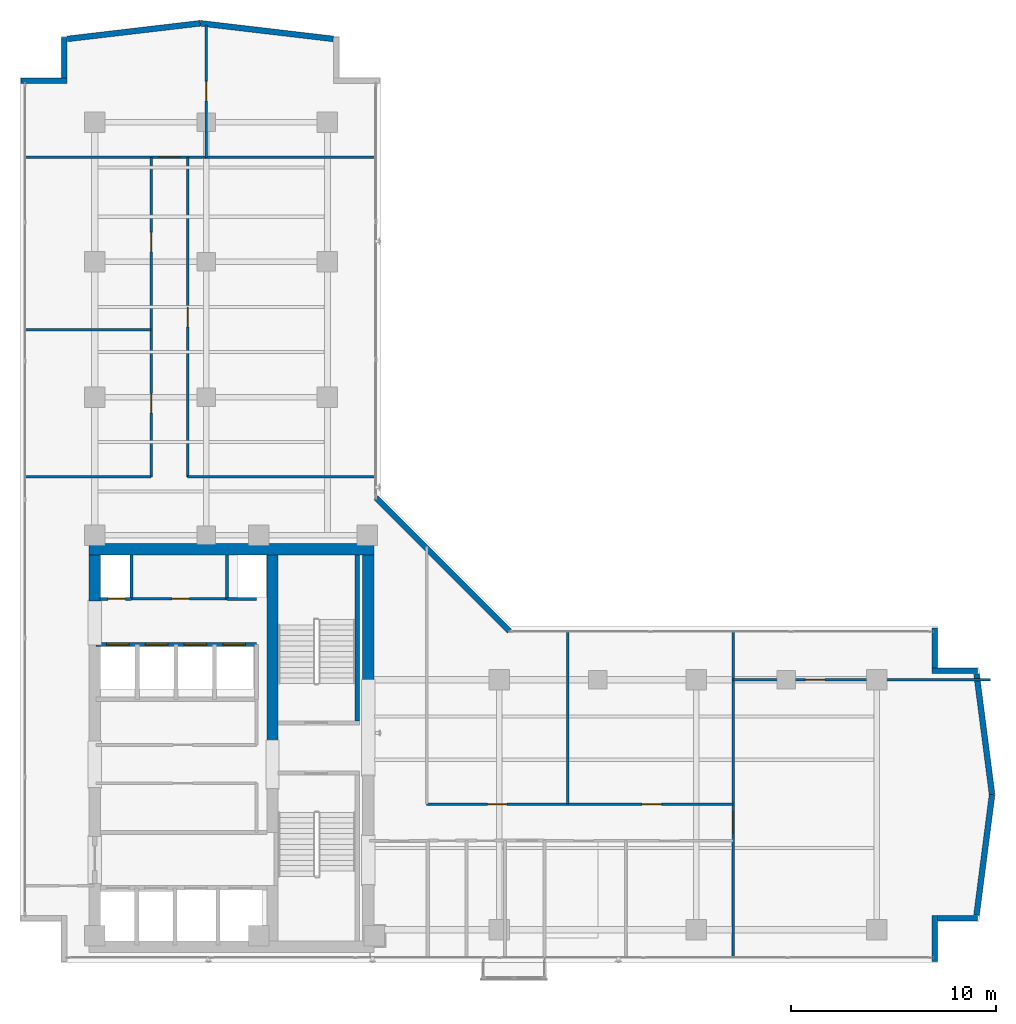
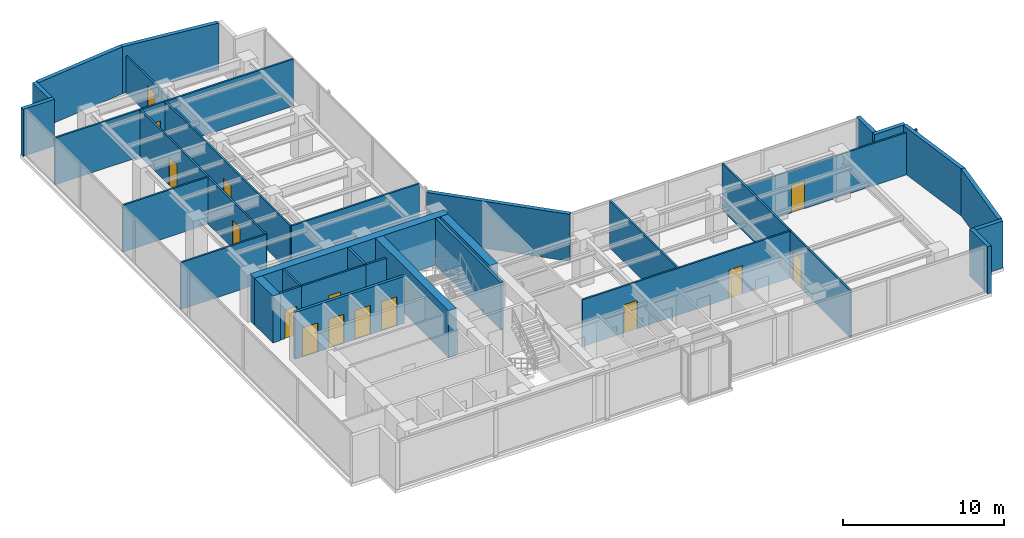
# One storey, part 18 of 22: 33 walls, 15 doors, 15 openings.
"""IFC4 building model written with IfcOpenShell, lengths in metres."""

from ifc_helpers import new_model, si_unit, direction, frame, frame_2d, origin, place, context, subcontext, project, spatial, rectangle, extrude, material, layer, layer_set, type_object, element, fill, save


model = new_model("IFC4")

# Units and contexts
model_context = context("Model", 3, precision=1e-05, world=origin(), true_north=direction((0.0, 1.0)))
body_context = subcontext(model_context, "Body", "Model", "MODEL_VIEW")
ifc_project = project(units=[si_unit("LENGTHUNIT", "METRE"), si_unit("AREAUNIT", "SQUARE_METRE"), si_unit("VOLUMEUNIT", "CUBIC_METRE"), si_unit("PLANEANGLEUNIT", "RADIAN"), si_unit("MASSUNIT", "GRAM", prefix="KILO")], contexts=[model_context])

# Site, building, storey
site_placement = place(None, origin())
site = spatial("IfcSite", under=ifc_project, at=site_placement, CompositionType="ELEMENT")
building_placement = place(site_placement, origin())
building = spatial("IfcBuilding", under=site, at=building_placement, Name="Kolvaren Waterfront Exchange", CompositionType="ELEMENT")
storey_placement = place(building_placement, frame((0.0, 0.0, 246.300048828125)))
storey = spatial("IfcBuildingStorey", under=building, at=storey_placement, Name="L63", CompositionType="ELEMENT", Elevation=246.300048828125)

# Walls
ifc_material_1 = material(Name="Precast concrete C40/50", Category="concrete")
ifc_layer_1 = layer(ifc_material_1, 0.280029296875, Name="Precast concrete C40/50")
ifc_layer_set_1 = layer_set([ifc_layer_1], Name="Precast concrete C40/50")
wall_type_1 = type_object("IfcWallType", Name="ARC-EXT-TERR-280", PredefinedType="SOLIDWALL", material=ifc_layer_set_1)
wall_1_placement = place(storey_placement, frame((48.43994140625, 3.659912109375, 0.0), z_axis=(0.0, 0.0, 1.0), x_axis=(0.0, 1.0, 0.0)))
element("IfcWall", 1, at=wall_1_placement, inside=storey, type_object=wall_type_1, Name="L63 notched corner spandrel pier SE-A", PredefinedType="SOLIDWALL", context=body_context, shape_type="SweptSolid", body=[
    extrude(rectangle(XDim=2.239990234375, YDim=0.280029296875, at=frame_2d((1.1201171875, 0.0))), origin(), (0.0, 0.0, 1.0), 3.56005859375),
])
wall_2_placement = place(storey_placement, frame((48.580078125, 5.760009765625, 0.0), z_axis=(0.0, 0.0, 1.0), x_axis=(1.0, 0.0, 0.0)))
element("IfcWall", 2, at=wall_2_placement, inside=storey, type_object=wall_type_1, Name="L63 notched corner spandrel pier SE-B", PredefinedType="SOLIDWALL", context=body_context, shape_type="SweptSolid", body=[
    extrude(rectangle(XDim=1.9599609375, YDim=0.280029296875, at=frame_2d((0.97998046875, 0.0))), origin(), (0.0, 0.0, 1.0), 3.56005859375),
])
wall_3_placement = place(storey_placement, frame((48.43994140625, 17.965087890625, 0.0), z_axis=(0.0, 0.0, 1.0), x_axis=(0.0, 1.0, 0.0)))
element("IfcWall", 3, at=wall_3_placement, inside=storey, type_object=wall_type_1, Name="L63 notched corner spandrel pier ENE-A", PredefinedType="SOLIDWALL", context=body_context, shape_type="SweptSolid", body=[
    extrude(rectangle(XDim=1.974853515625, YDim=0.280029296875, at=frame_2d((0.9873046875, 0.0))), origin(), (0.0, 0.0, 1.0), 3.56005859375),
])
for number, where, z_axis, x_axis, name in (
    (4, (48.300048828125, 17.840087890625, 0.0), (0.0, 0.0, 1.0), (1.0, 0.0, 0.0), "L63 notched corner spandrel pier ENE-B"),
    (5, (3.860107421875, 46.639892578125, 0.0), (0.0, 0.0, 1.0), (1.0, 0.0, 0.0), "L63 notched corner spandrel pier NW-A"),
):
    element("IfcWall", number, at=place(storey_placement, frame(where, z_axis=z_axis, x_axis=x_axis)), inside=storey, type_object=wall_type_1, Name=name, PredefinedType="SOLIDWALL", context=body_context, shape_type="SweptSolid", body=[
        extrude(rectangle(XDim=2.239990234375, YDim=0.280029296875, at=frame_2d((1.1201171875, 0.0))), origin(), (0.0, 0.0, 1.0), 3.56005859375),
    ])
wall_4_placement = place(storey_placement, frame((5.9599609375, 46.780029296875, 0.0), z_axis=(0.0, 0.0, 1.0), x_axis=(0.0, 1.0, 0.0)))
element("IfcWall", 6, at=wall_4_placement, inside=storey, type_object=wall_type_1, Name="L63 notched corner spandrel pier NW-B", PredefinedType="SOLIDWALL", context=body_context, shape_type="SweptSolid", body=[
    extrude(rectangle(XDim=1.9599609375, YDim=0.280029296875, at=frame_2d((0.97998046875, 0.0))), origin(), (0.0, 0.0, 1.0), 3.56005859375),
])
wall_5_placement = place(storey_placement, frame((27.68505859375, 19.77490234375, 0.0), z_axis=(0.0, 0.0, 1.0), x_axis=(-0.707106781187, 0.707106781187, 0.0)))
element("IfcWall", 7, at=wall_5_placement, inside=storey, type_object=wall_type_1, Name="L63 notched corner spandrel pier ELBOW", PredefinedType="SOLIDWALL", context=body_context, shape_type="SweptSolid", body=[
    extrude(rectangle(XDim=9.20654296875, YDim=0.280029296875, at=frame_2d((4.603271484375, 0.0))), origin(), (0.0, 0.0, 1.0), 3.56005859375),
])
for number, where, z_axis, x_axis, name in (
    (8, (50.479736328125, 5.91796875, 0.0), (0.0, 0.0, 1.0), (0.127970031595, 0.991778035154, 0.0), "L63 east prow faceted facade wall 1"),
    (9, (51.23876953125, 11.79931640625, 0.0), (0.0, 0.0, 1.0), (-0.127970031595, 0.991778035154, 0.0), "L63 east prow faceted facade wall 2"),
):
    element("IfcWall", number, at=place(storey_placement, frame(where, z_axis=z_axis, x_axis=x_axis)), inside=storey, type_object=wall_type_1, Name=name, PredefinedType="SOLIDWALL", context=body_context, shape_type="SweptSolid", body=[
        extrude(rectangle(XDim=5.931396484375, YDim=0.280029296875, at=frame_2d((2.9658203125, 0.0))), origin(), (0.0, 0.0, 1.0), 3.56005859375),
    ])
for number, where, z_axis, x_axis, name in (
    (10, (19.08349609375, 48.676025390625, 0.0), (0.0, 0.0, 1.0), (-0.993149072278, 0.11685426921, 0.0), "L63 north prow faceted facade wall 1"),
    (11, (12.598876953125, 49.438720703125, 0.0), (0.0, 0.0, 1.0), (-0.993149072278, -0.11685426921, 0.0), "L63 north prow faceted facade wall 2"),
):
    element("IfcWall", number, at=place(storey_placement, frame(where, z_axis=z_axis, x_axis=x_axis)), inside=storey, type_object=wall_type_1, Name=name, PredefinedType="SOLIDWALL", context=body_context, shape_type="SweptSolid", body=[
        extrude(rectangle(XDim=6.52685546875, YDim=0.280029296875, at=frame_2d((3.263427734375, 0.0))), origin(), (0.0, 0.0, 1.0), 3.56005859375),
    ])

# Wall, opening, door
ifc_material_2 = material(Name="Acoustic gypsum steel stud", Category="steel")
ifc_layer_2 = layer(ifc_material_2, 0.125, Name="Acoustic gypsum steel stud")
ifc_layer_set_2 = layer_set([ifc_layer_2], Name="Acoustic gypsum steel stud")
wall_type_2 = type_object("IfcWallType", Name="ARC-PART-125", PredefinedType="PARTITIONING", material=ifc_layer_set_2)
wall_6_placement = place(storey_placement, frame((9.25, 21.35009765625, 0.0), z_axis=(0.0, 0.0, 1.0), x_axis=(1.0, 0.0, 0.0)))
wall_6 = element("IfcWall", 12, at=wall_6_placement, inside=storey, type_object=wall_type_2, Name="L63 interior wall PW-L63-SVC-HI-S", PredefinedType="PARTITIONING", context=body_context, shape_type="SweptSolid", body=[
    extrude(rectangle(XDim=4.64990234375, YDim=0.125, at=frame_2d((2.324951171875, 0.0))), origin(), (0.0, 0.0, 1.0), 3.56005859375),
])
opening_1_placement = place(wall_6_placement, frame((1.971435546875, 0.0, 0.0)))
opening_1 = element("IfcOpeningElement", 13, at=opening_1_placement, cuts=wall_6, Name="Opening D01", PredefinedType="OPENING", context=body_context, shape_type="SweptSolid", body=[
    extrude(rectangle(XDim=0.85009765625, YDim=2.14990234375, at=frame_2d((0.425048828125, 1.074951171875))), frame((0.0, 0.072509765625, 0.0), z_axis=(0.0, -1.0, 0.0), x_axis=(1.0, 0.0, 0.0)), (0.0, 0.0, 1.0), 0.14501953125),
])
ifc_material_3 = material(Name="Oak veneer timber leaf", Category="wood")
door_type_1 = type_object("IfcDoorType", Name="ARC-DR-900", OperationType="NOTDEFINED", PredefinedType="DOOR", material=ifc_material_3)
door_1_placement = place(opening_1_placement, origin())
door_1 = element("IfcDoor", 14, at=door_1_placement, inside=storey, type_object=door_type_1, Name="L63 door DR-L63-SVC-DR-1 (D01)", OperationType="SINGLE_SWING_LEFT", OverallHeight=2.14990234375, OverallWidth=0.85009765625, PredefinedType="DOOR", context=body_context, shape_type="SweptSolid", body=[
    extrude(rectangle(XDim=0.85009765625, YDim=2.14990234375, at=frame_2d((0.425048828125, 1.074951171875))), frame((0.0, 0.02490234375, 0.0), z_axis=(0.0, -1.0, 0.0), x_axis=(1.0, 0.0, 0.0)), (0.0, 0.0, 1.0), 0.050048828125),
])
fill(opening_1, door_1)

wall_7_placement = place(storey_placement, frame((38.60009765625, 3.840087890625, 0.0), z_axis=(0.0, 0.0, 1.0), x_axis=(0.0, 1.0, 0.0)))
wall_7 = element("IfcWall", 15, at=wall_7_placement, inside=storey, type_object=wall_type_2, Name="L63 interior wall PW-L63-ETIP-W", PredefinedType="PARTITIONING", context=body_context, shape_type="SweptSolid", body=[
    extrude(rectangle(XDim=15.919921875, YDim=0.125, at=frame_2d((7.9599609375, 0.0))), origin(), (0.0, 0.0, 1.0), 3.56005859375),
])
opening_2_placement = place(wall_7_placement, frame((6.10009765625, 0.0, 0.0)))
opening_2 = element("IfcOpeningElement", 16, at=opening_2_placement, cuts=wall_7, Name="Opening D03", PredefinedType="OPENING", context=body_context, shape_type="SweptSolid", body=[
    extrude(rectangle(XDim=1.0, YDim=2.199951171875, at=frame_2d((0.5, 1.10009765625))), frame((0.0, 0.072509765625, 0.0), z_axis=(0.0, -1.0, 0.0), x_axis=(1.0, 0.0, 0.0)), (0.0, 0.0, 1.0), 0.14501953125),
])
ifc_material_4 = material(Name="Oak veneer accessible timber", Category="wood")
door_type_2 = type_object("IfcDoorType", Name="ARC-DR-1000", OperationType="NOTDEFINED", PredefinedType="DOOR", material=ifc_material_4)
door_2_placement = place(opening_2_placement, origin())
door_2 = element("IfcDoor", 17, at=door_2_placement, inside=storey, type_object=door_type_2, Name="L63 door DR-L63-ETIP1-D (D03)", OperationType="SINGLE_SWING_LEFT", OverallHeight=2.199951171875, OverallWidth=1.0, PredefinedType="DOOR", context=body_context, shape_type="SweptSolid", body=[
    extrude(rectangle(XDim=1.0, YDim=2.199951171875, at=frame_2d((0.5, 1.10009765625))), frame((0.0, 0.02490234375, 0.0), z_axis=(0.0, -1.0, 0.0), x_axis=(1.0, 0.0, 0.0)), (0.0, 0.0, 1.0), 0.050048828125),
])
fill(opening_2, door_2)

wall_8_placement = place(storey_placement, frame((38.60009765625, 17.39990234375, 0.0), z_axis=(0.0, 0.0, 1.0), x_axis=(1.0, 0.0, 0.0)))
wall_8 = element("IfcWall", 18, at=wall_8_placement, inside=storey, type_object=wall_type_2, Name="L63 interior wall PW-L63-ETIP-MID", PredefinedType="PARTITIONING", context=body_context, shape_type="SweptSolid", body=[
    extrude(rectangle(XDim=12.559814453125, YDim=0.125, at=frame_2d((6.27978515625, 0.0))), origin(), (0.0, 0.0, 1.0), 3.199951171875),
])
opening_3_placement = place(wall_8_placement, frame((3.52490234375, 0.0, 0.0)))
opening_3 = element("IfcOpeningElement", 19, at=opening_3_placement, cuts=wall_8, Name="Opening D02", PredefinedType="OPENING", context=body_context, shape_type="SweptSolid", body=[
    extrude(rectangle(XDim=0.949951171875, YDim=2.14990234375, at=frame_2d((0.47509765625, 1.074951171875))), frame((0.0, 0.072509765625, 0.0), z_axis=(0.0, -1.0, 0.0), x_axis=(1.0, 0.0, 0.0)), (0.0, 0.0, 1.0), 0.14501953125),
])
ifc_material_5 = material(Name="Oak veneer acoustic timber", Category="wood")
door_type_3 = type_object("IfcDoorType", Name="ARC-DR-950", OperationType="NOTDEFINED", PredefinedType="DOOR", material=ifc_material_5)
door_3_placement = place(opening_3_placement, origin())
door_3 = element("IfcDoor", 20, at=door_3_placement, inside=storey, type_object=door_type_3, Name="L63 door DR-L63-ETIP2-D (D02)", OperationType="SINGLE_SWING_RIGHT", OverallHeight=2.14990234375, OverallWidth=0.949951171875, PredefinedType="DOOR", context=body_context, shape_type="SweptSolid", body=[
    extrude(rectangle(XDim=0.949951171875, YDim=2.14990234375, at=frame_2d((0.47509765625, 1.074951171875))), frame((0.0, 0.02490234375, 0.0), z_axis=(0.0, -1.0, 0.0), x_axis=(1.0, 0.0, 0.0)), (0.0, 0.0, 1.0), 0.050048828125),
])
fill(opening_3, door_3)

# Wall, openings, doors
wall_9_placement = place(storey_placement, frame((23.64990234375, 11.330078125, 0.0), z_axis=(0.0, 0.0, 1.0), x_axis=(1.0, 0.0, 0.0)))
wall_9 = element("IfcWall", 21, at=wall_9_placement, inside=storey, type_object=wall_type_2, Name="L63 interior wall PW-L63-EN-CORR", PredefinedType="PARTITIONING", context=body_context, shape_type="SweptSolid", body=[
    extrude(rectangle(XDim=14.9501953125, YDim=0.125, at=frame_2d((7.47509765625, 0.0))), origin(), (0.0, 0.0, 1.0), 3.56005859375),
])
opening_4_placement = place(wall_9_placement, frame((2.965087890625, 0.0, 0.0)))
opening_4 = element("IfcOpeningElement", 22, at=opening_4_placement, cuts=wall_9, Name="Opening D02", PredefinedType="OPENING", context=body_context, shape_type="SweptSolid", body=[
    extrude(rectangle(XDim=0.949951171875, YDim=2.14990234375, at=frame_2d((0.47509765625, 1.074951171875))), frame((0.0, 0.072509765625, 0.0), z_axis=(0.0, -1.0, 0.0), x_axis=(1.0, 0.0, 0.0)), (0.0, 0.0, 1.0), 0.14501953125),
])
opening_5_placement = place(wall_9_placement, frame((10.51025390625, 0.0, 0.0)))
opening_5 = element("IfcOpeningElement", 23, at=opening_5_placement, cuts=wall_9, Name="Opening D02", PredefinedType="OPENING", context=body_context, shape_type="SweptSolid", body=[
    extrude(rectangle(XDim=0.949951171875, YDim=2.14990234375, at=frame_2d((0.47509765625, 1.074951171875))), frame((0.0, 0.072509765625, 0.0), z_axis=(0.0, -1.0, 0.0), x_axis=(1.0, 0.0, 0.0)), (0.0, 0.0, 1.0), 0.14501953125),
])
door_4_placement = place(opening_4_placement, origin())
door_4 = element("IfcDoor", 24, at=door_4_placement, inside=storey, type_object=door_type_3, Name="L63 door DR-L63-EN-D-1 (D02)", OperationType="SINGLE_SWING_LEFT", OverallHeight=2.14990234375, OverallWidth=0.949951171875, PredefinedType="DOOR", context=body_context, shape_type="SweptSolid", body=[
    extrude(rectangle(XDim=0.949951171875, YDim=2.14990234375, at=frame_2d((0.47509765625, 1.074951171875))), frame((0.0, 0.02490234375, 0.0), z_axis=(0.0, -1.0, 0.0), x_axis=(1.0, 0.0, 0.0)), (0.0, 0.0, 1.0), 0.050048828125),
])
fill(opening_4, door_4)
door_5_placement = place(opening_5_placement, origin())
door_5 = element("IfcDoor", 25, at=door_5_placement, inside=storey, type_object=door_type_3, Name="L63 door DR-L63-EN-D-2 (D02)", OperationType="SINGLE_SWING_RIGHT", OverallHeight=2.14990234375, OverallWidth=0.949951171875, PredefinedType="DOOR", context=body_context, shape_type="SweptSolid", body=[
    extrude(rectangle(XDim=0.949951171875, YDim=2.14990234375, at=frame_2d((0.47509765625, 1.074951171875))), frame((0.0, 0.02490234375, 0.0), z_axis=(0.0, -1.0, 0.0), x_axis=(1.0, 0.0, 0.0)), (0.0, 0.0, 1.0), 0.050048828125),
])
fill(opening_5, door_5)

# Walls
wall_10_placement = place(storey_placement, frame((30.530029296875, 11.330078125, 0.0), z_axis=(0.0, 0.0, 1.0), x_axis=(0.0, 1.0, 0.0)))
element("IfcWall", 26, at=wall_10_placement, inside=storey, type_object=wall_type_2, Name="L63 interior wall PW-L63-EN-DIV-1", PredefinedType="PARTITIONING", context=body_context, shape_type="SweptSolid", body=[
    extrude(rectangle(XDim=8.429931640625, YDim=0.125, at=frame_2d((4.21484375, 0.0))), origin(), (0.0, 0.0, 1.0), 3.56005859375),
])
wall_11_placement = place(storey_placement, frame((4.0400390625, 27.300048828125, 0.0), z_axis=(0.0, 0.0, 1.0), x_axis=(1.0, 0.0, 0.0)))
element("IfcWall", 27, at=wall_11_placement, inside=storey, type_object=wall_type_2, Name="L63 interior wall PW-L63-NW-S0", PredefinedType="PARTITIONING", context=body_context, shape_type="SweptSolid", body=[
    extrude(rectangle(XDim=6.159912109375, YDim=0.125, at=frame_2d((3.080078125, 0.0))), origin(), (0.0, 0.0, 1.0), 3.56005859375),
])

# Wall, openings, doors
wall_12_placement = place(storey_placement, frame((10.199951171875, 27.300048828125, 0.0), z_axis=(0.0, 0.0, 1.0), x_axis=(0.0, 1.0, 0.0)))
wall_12 = element("IfcWall", 28, at=wall_12_placement, inside=storey, type_object=wall_type_2, Name="L63 interior wall PW-L63-NW-CORR", PredefinedType="PARTITIONING", context=body_context, shape_type="SweptSolid", body=[
    extrude(rectangle(XDim=15.599853515625, YDim=0.125, at=frame_2d((7.7998046875, 0.0))), origin(), (0.0, 0.0, 1.0), 3.56005859375),
])
opening_6_placement = place(wall_12_placement, frame((3.114990234375, 0.0, 0.0)))
opening_6 = element("IfcOpeningElement", 29, at=opening_6_placement, cuts=wall_12, Name="Opening D02", PredefinedType="OPENING", context=body_context, shape_type="SweptSolid", body=[
    extrude(rectangle(XDim=0.949951171875, YDim=2.14990234375, at=frame_2d((0.47509765625, 1.074951171875))), frame((0.0, 0.072509765625, 0.0), z_axis=(0.0, -1.0, 0.0), x_axis=(1.0, 0.0, 0.0)), (0.0, 0.0, 1.0), 0.14501953125),
])
opening_7_placement = place(wall_12_placement, frame((10.986083984375, 0.0, 0.0)))
opening_7 = element("IfcOpeningElement", 30, at=opening_7_placement, cuts=wall_12, Name="Opening D02", PredefinedType="OPENING", context=body_context, shape_type="SweptSolid", body=[
    extrude(rectangle(XDim=0.949951171875, YDim=2.14990234375, at=frame_2d((0.47509765625, 1.074951171875))), frame((0.0, 0.072509765625, 0.0), z_axis=(0.0, -1.0, 0.0), x_axis=(1.0, 0.0, 0.0)), (0.0, 0.0, 1.0), 0.14501953125),
])
door_6_placement = place(opening_6_placement, origin())
door_6 = element("IfcDoor", 31, at=door_6_placement, inside=storey, type_object=door_type_3, Name="L63 door DR-L63-NW-D-1 (D02)", OperationType="SINGLE_SWING_LEFT", OverallHeight=2.14990234375, OverallWidth=0.949951171875, PredefinedType="DOOR", context=body_context, shape_type="SweptSolid", body=[
    extrude(rectangle(XDim=0.949951171875, YDim=2.14990234375, at=frame_2d((0.47509765625, 1.074951171875))), frame((0.0, 0.02490234375, 0.0), z_axis=(0.0, -1.0, 0.0), x_axis=(1.0, 0.0, 0.0)), (0.0, 0.0, 1.0), 0.050048828125),
])
fill(opening_6, door_6)
door_7_placement = place(opening_7_placement, origin())
door_7 = element("IfcDoor", 32, at=door_7_placement, inside=storey, type_object=door_type_3, Name="L63 door DR-L63-NW-D-2 (D02)", OperationType="SINGLE_SWING_RIGHT", OverallHeight=2.14990234375, OverallWidth=0.949951171875, PredefinedType="DOOR", context=body_context, shape_type="SweptSolid", body=[
    extrude(rectangle(XDim=0.949951171875, YDim=2.14990234375, at=frame_2d((0.47509765625, 1.074951171875))), frame((0.0, 0.02490234375, 0.0), z_axis=(0.0, -1.0, 0.0), x_axis=(1.0, 0.0, 0.0)), (0.0, 0.0, 1.0), 0.050048828125),
])
fill(opening_7, door_7)

# Wall
wall_13_placement = place(storey_placement, frame((4.0400390625, 34.47998046875, 0.0), z_axis=(0.0, 0.0, 1.0), x_axis=(1.0, 0.0, 0.0)))
element("IfcWall", 33, at=wall_13_placement, inside=storey, type_object=wall_type_2, Name="L63 interior wall PW-L63-NW-DIV-1", PredefinedType="PARTITIONING", context=body_context, shape_type="SweptSolid", body=[
    extrude(rectangle(XDim=6.159912109375, YDim=0.125, at=frame_2d((3.080078125, 0.0))), origin(), (0.0, 0.0, 1.0), 3.56005859375),
])

# Wall, opening, door
wall_14_placement = place(storey_placement, frame((4.0400390625, 42.89990234375, 0.0), z_axis=(0.0, 0.0, 1.0), x_axis=(1.0, 0.0, 0.0)))
wall_14 = element("IfcWall", 34, at=wall_14_placement, inside=storey, type_object=wall_type_2, Name="L63 interior wall PW-L63-NTIP-S", PredefinedType="PARTITIONING", context=body_context, shape_type="SweptSolid", body=[
    extrude(rectangle(XDim=17.119873046875, YDim=0.125, at=frame_2d((8.56005859375, 0.0))), origin(), (0.0, 0.0, 1.0), 3.56005859375),
])
opening_8_placement = place(wall_14_placement, frame((6.550048828125, 0.0, 0.0)))
opening_8 = element("IfcOpeningElement", 35, at=opening_8_placement, cuts=wall_14, Name="Opening D03", PredefinedType="OPENING", context=body_context, shape_type="SweptSolid", body=[
    extrude(rectangle(XDim=1.0, YDim=2.199951171875, at=frame_2d((0.5, 1.10009765625))), frame((0.0, 0.072509765625, 0.0), z_axis=(0.0, -1.0, 0.0), x_axis=(1.0, 0.0, 0.0)), (0.0, 0.0, 1.0), 0.14501953125),
])
door_8_placement = place(opening_8_placement, origin())
door_8 = element("IfcDoor", 36, at=door_8_placement, inside=storey, type_object=door_type_2, Name="L63 door DR-L63-NTIPW-D (D03)", OperationType="SINGLE_SWING_LEFT", OverallHeight=2.199951171875, OverallWidth=1.0, PredefinedType="DOOR", context=body_context, shape_type="SweptSolid", body=[
    extrude(rectangle(XDim=1.0, YDim=2.199951171875, at=frame_2d((0.5, 1.10009765625))), frame((0.0, 0.02490234375, 0.0), z_axis=(0.0, -1.0, 0.0), x_axis=(1.0, 0.0, 0.0)), (0.0, 0.0, 1.0), 0.050048828125),
])
fill(opening_8, door_8)

wall_15_placement = place(storey_placement, frame((12.89990234375, 42.89990234375, 0.0), z_axis=(0.0, 0.0, 1.0), x_axis=(0.0, 1.0, 0.0)))
wall_15 = element("IfcWall", 37, at=wall_15_placement, inside=storey, type_object=wall_type_2, Name="L63 interior wall PW-L63-NTIP-DIV", PredefinedType="PARTITIONING", context=body_context, shape_type="SweptSolid", body=[
    extrude(rectangle(XDim=6.460205078125, YDim=0.125, at=frame_2d((3.22998046875, 0.0))), origin(), (0.0, 0.0, 1.0), 2.7978515625),
])
opening_9_placement = place(wall_15_placement, frame((2.75, 0.0, 0.0)))
opening_9 = element("IfcOpeningElement", 38, at=opening_9_placement, cuts=wall_15, Name="Opening D02", PredefinedType="OPENING", context=body_context, shape_type="SweptSolid", body=[
    extrude(rectangle(XDim=0.949951171875, YDim=2.14990234375, at=frame_2d((0.47509765625, 1.074951171875))), frame((0.0, 0.072509765625, 0.0), z_axis=(0.0, -1.0, 0.0), x_axis=(1.0, 0.0, 0.0)), (0.0, 0.0, 1.0), 0.14501953125),
])
door_9_placement = place(opening_9_placement, origin())
door_9 = element("IfcDoor", 39, at=door_9_placement, inside=storey, type_object=door_type_3, Name="L63 door DR-L63-NTIPE-D (D02)", OperationType="SINGLE_SWING_RIGHT", OverallHeight=2.14990234375, OverallWidth=0.949951171875, PredefinedType="DOOR", context=body_context, shape_type="SweptSolid", body=[
    extrude(rectangle(XDim=0.949951171875, YDim=2.14990234375, at=frame_2d((0.47509765625, 1.074951171875))), frame((0.0, 0.02490234375, 0.0), z_axis=(0.0, -1.0, 0.0), x_axis=(1.0, 0.0, 0.0)), (0.0, 0.0, 1.0), 0.050048828125),
])
fill(opening_9, door_9)

# Wall
wall_16_placement = place(storey_placement, frame((11.97998046875, 27.300048828125, 0.0), z_axis=(0.0, 0.0, 1.0), x_axis=(1.0, 0.0, 0.0)))
element("IfcWall", 40, at=wall_16_placement, inside=storey, type_object=wall_type_2, Name="L63 interior wall PW-L63-NE-S0", PredefinedType="PARTITIONING", context=body_context, shape_type="SweptSolid", body=[
    extrude(rectangle(XDim=9.179931640625, YDim=0.125, at=frame_2d((4.58984375, 0.0))), origin(), (0.0, 0.0, 1.0), 3.56005859375),
])

# Wall, opening, door
wall_17_placement = place(storey_placement, frame((11.97998046875, 27.300048828125, 0.0), z_axis=(0.0, 0.0, 1.0), x_axis=(0.0, 1.0, 0.0)))
wall_17 = element("IfcWall", 41, at=wall_17_placement, inside=storey, type_object=wall_type_2, Name="L63 interior wall PW-L63-NE-CORR", PredefinedType="PARTITIONING", context=body_context, shape_type="SweptSolid", body=[
    extrude(rectangle(XDim=15.599853515625, YDim=0.125, at=frame_2d((7.7998046875, 0.0))), origin(), (0.0, 0.0, 1.0), 3.56005859375),
])
opening_10_placement = place(wall_17_placement, frame((7.324951171875, 0.0, 0.0)))
opening_10 = element("IfcOpeningElement", 42, at=opening_10_placement, cuts=wall_17, Name="Opening D02", PredefinedType="OPENING", context=body_context, shape_type="SweptSolid", body=[
    extrude(rectangle(XDim=0.949951171875, YDim=2.14990234375, at=frame_2d((0.47509765625, 1.074951171875))), frame((0.0, 0.072509765625, 0.0), z_axis=(0.0, -1.0, 0.0), x_axis=(1.0, 0.0, 0.0)), (0.0, 0.0, 1.0), 0.14501953125),
])
door_10_placement = place(opening_10_placement, origin())
door_10 = element("IfcDoor", 43, at=door_10_placement, inside=storey, type_object=door_type_3, Name="L63 door DR-L63-NE-D-1 (D02)", OperationType="SINGLE_SWING_LEFT", OverallHeight=2.14990234375, OverallWidth=0.949951171875, PredefinedType="DOOR", context=body_context, shape_type="SweptSolid", body=[
    extrude(rectangle(XDim=0.949951171875, YDim=2.14990234375, at=frame_2d((0.47509765625, 1.074951171875))), frame((0.0, 0.02490234375, 0.0), z_axis=(0.0, -1.0, 0.0), x_axis=(1.0, 0.0, 0.0)), (0.0, 0.0, 1.0), 0.050048828125),
])
fill(opening_10, door_10)

# Walls
ifc_material_6 = material(Name="Gypsum fireboard steel stud", Category="steel")
ifc_layer_3 = layer(ifc_material_6, 0.14990234375, Name="Gypsum fireboard steel stud")
ifc_layer_set_3 = layer_set([ifc_layer_3], Name="Gypsum fireboard steel stud")
wall_type_3 = type_object("IfcWallType", Name="ARC-PART-150", PredefinedType="PARTITIONING", material=ifc_layer_set_3)
for number, where, z_axis, x_axis, name in (
    (44, (9.25, 21.35009765625, 0.0), (0.0, 0.0, 1.0), (0.0, 1.0, 0.0), "L63 interior wall PW-L63-SVC-R1"),
    (45, (13.89990234375, 21.35009765625, 0.0), (0.0, 0.0, 1.0), (0.0, 1.0, 0.0), "L63 interior wall PW-L63-SVC-R2"),
):
    element("IfcWall", number, at=place(storey_placement, frame(where, z_axis=z_axis, x_axis=x_axis)), inside=storey, type_object=wall_type_3, Name=name, PredefinedType="PARTITIONING", context=body_context, shape_type="SweptSolid", body=[
        extrude(rectangle(XDim=2.1298828125, YDim=0.14990234375, at=frame_2d((1.06494140625, 0.0))), origin(), (0.0, 0.0, 1.0), 3.56005859375),
    ])

# Wall, opening, door
wall_18_placement = place(storey_placement, frame((7.699951171875, 21.35009765625, 0.0), z_axis=(0.0, 0.0, 1.0), x_axis=(1.0, 0.0, 0.0)))
wall_18 = element("IfcWall", 46, at=wall_18_placement, inside=storey, type_object=wall_type_3, Name="L63 interior wall PW-L63-SVC-RE-S", PredefinedType="PARTITIONING", context=body_context, shape_type="SweptSolid", body=[
    extrude(rectangle(XDim=1.550048828125, YDim=0.14990234375, at=frame_2d((0.77490234375, 0.0))), origin(), (0.0, 0.0, 1.0), 3.56005859375),
])
opening_11_placement = place(wall_18_placement, frame((0.389892578125, 0.0, 0.0)))
opening_11 = element("IfcOpeningElement", 47, at=opening_11_placement, cuts=wall_18, Name="Opening FD1", PredefinedType="OPENING", context=body_context, shape_type="SweptSolid", body=[
    extrude(rectangle(XDim=0.85009765625, YDim=2.14990234375, at=frame_2d((0.425048828125, 1.074951171875))), frame((0.0, 0.0849609375, 0.0), z_axis=(0.0, -1.0, 0.0), x_axis=(1.0, 0.0, 0.0)), (0.0, 0.0, 1.0), 0.169921875),
])
ifc_material_7 = material(Name="Pressed steel fire leaf", Category="steel")
door_type_4 = type_object("IfcDoorType", Name="ARC-FD-900", OperationType="NOTDEFINED", PredefinedType="DOOR", material=ifc_material_7)
door_11_placement = place(opening_11_placement, origin())
door_11 = element("IfcDoor", 48, at=door_11_placement, inside=storey, type_object=door_type_4, Name="L63 door DR-L63-RISER-E-DR (FD1)", OperationType="SINGLE_SWING_RIGHT", OverallHeight=2.14990234375, OverallWidth=0.85009765625, PredefinedType="DOOR", context=body_context, shape_type="SweptSolid", body=[
    extrude(rectangle(XDim=0.85009765625, YDim=2.14990234375, at=frame_2d((0.425048828125, 1.074951171875))), frame((0.0, 0.02490234375, 0.0), z_axis=(0.0, -1.0, 0.0), x_axis=(1.0, 0.0, 0.0)), (0.0, 0.0, 1.0), 0.050048828125),
])
fill(opening_11, door_11)

# Walls
wall_19_placement = place(storey_placement, frame((13.89990234375, 21.35009765625, 0.0), z_axis=(0.0, 0.0, 1.0), x_axis=(1.0, 0.0, 0.0)))
element("IfcWall", 49, at=wall_19_placement, inside=storey, type_object=wall_type_3, Name="L63 interior wall PW-L63-SVC-RP-S", PredefinedType="PARTITIONING", context=body_context, shape_type="SweptSolid", body=[
    extrude(rectangle(XDim=1.4501953125, YDim=0.14990234375, at=frame_2d((0.72509765625, 0.0))), origin(), (0.0, 0.0, 1.0), 3.56005859375),
])
ifc_material_8 = material(Name="Concrete C40/50", Category="concrete")
ifc_layer_4 = layer(ifc_material_8, 0.199951171875, Name="Concrete C40/50")
ifc_layer_set_4 = layer_set([ifc_layer_4], Name="Concrete C40/50")
wall_type_4 = type_object("IfcWallType", Name="ARC-SHAFT-200", PredefinedType="PARTITIONING", material=ifc_layer_set_4)
wall_20_placement = place(storey_placement, frame((20.260009765625, 15.39990234375, 0.0), z_axis=(0.0, 0.0, 1.0), x_axis=(0.0, 1.0, 0.0)))
element("IfcWall", 50, at=wall_20_placement, inside=storey, type_object=wall_type_4, Name="L63 structural stairwell wall PW-L63-ST2-E", PredefinedType="SHEAR", context=body_context, shape_type="SweptSolid", body=[
    extrude(rectangle(XDim=8.090087890625, YDim=0.199951171875, at=frame_2d((4.044921875, 0.0))), origin(), (0.0, 0.0, 1.0), 3.56005859375),
])

# Wall, openings, doors
wall_21_placement = place(storey_placement, frame((7.5, 19.1201171875, 0.0), z_axis=(0.0, 0.0, 1.0), x_axis=(1.0, 0.0, 0.0)))
wall_21 = element("IfcWall", 51, at=wall_21_placement, inside=storey, type_object=wall_type_4, Name="L63 interior wall PW-L63-PH-N", PredefinedType="PARTITIONING", context=body_context, shape_type="SweptSolid", body=[
    extrude(rectangle(XDim=7.85009765625, YDim=0.199951171875, at=frame_2d((3.925048828125, 0.0))), origin(), (0.0, 0.0, 1.0), 3.56005859375),
])
opening_12_placement = place(wall_21_placement, frame((0.530029296875, 0.0, 0.0)))
opening_12 = element("IfcOpeningElement", 52, at=opening_12_placement, cuts=wall_21, Name="Opening LD2", PredefinedType="OPENING", context=body_context, shape_type="SweptSolid", body=[
    extrude(rectangle(XDim=1.10009765625, YDim=2.199951171875, at=frame_2d((0.550048828125, 1.10009765625))), frame((0.0, 0.10986328125, 0.0), z_axis=(0.0, -1.0, 0.0), x_axis=(1.0, 0.0, 0.0)), (0.0, 0.0, 1.0), 0.219970703125),
])
opening_13_placement = place(wall_21_placement, frame((2.419921875, 0.0, 0.0)))
opening_13 = element("IfcOpeningElement", 53, at=opening_13_placement, cuts=wall_21, Name="Opening LD2", PredefinedType="OPENING", context=body_context, shape_type="SweptSolid", body=[
    extrude(rectangle(XDim=1.10009765625, YDim=2.199951171875, at=frame_2d((0.550048828125, 1.10009765625))), frame((0.0, 0.10986328125, 0.0), z_axis=(0.0, -1.0, 0.0), x_axis=(1.0, 0.0, 0.0)), (0.0, 0.0, 1.0), 0.219970703125),
])
opening_14_placement = place(wall_21_placement, frame((4.31005859375, 0.0, 0.0)))
opening_14 = element("IfcOpeningElement", 54, at=opening_14_placement, cuts=wall_21, Name="Opening LD2", PredefinedType="OPENING", context=body_context, shape_type="SweptSolid", body=[
    extrude(rectangle(XDim=1.10009765625, YDim=2.199951171875, at=frame_2d((0.550048828125, 1.10009765625))), frame((0.0, 0.10986328125, 0.0), z_axis=(0.0, -1.0, 0.0), x_axis=(1.0, 0.0, 0.0)), (0.0, 0.0, 1.0), 0.219970703125),
])
opening_15_placement = place(wall_21_placement, frame((6.199951171875, 0.0, 0.0)))
opening_15 = element("IfcOpeningElement", 55, at=opening_15_placement, cuts=wall_21, Name="Opening LD2", PredefinedType="OPENING", context=body_context, shape_type="SweptSolid", body=[
    extrude(rectangle(XDim=1.10009765625, YDim=2.199951171875, at=frame_2d((0.550048828125, 1.10009765625))), frame((0.0, 0.10986328125, 0.0), z_axis=(0.0, -1.0, 0.0), x_axis=(1.0, 0.0, 0.0)), (0.0, 0.0, 1.0), 0.219970703125),
])
ifc_material_9 = material(Name="Brushed bronze sliding landing door", Category="aluminium")
door_type_5 = type_object("IfcDoorType", Name="ARC-LD-PAX", OperationType="SLIDING_TO_LEFT", PredefinedType="DOOR", material=ifc_material_9)
door_12_placement = place(opening_12_placement, origin())
door_12 = element("IfcDoor", 56, at=door_12_placement, inside=storey, type_object=door_type_5, Name="L63 door LD-L63-PH1 (LD2)", OperationType="SLIDING_TO_LEFT", OverallHeight=2.199951171875, OverallWidth=1.10009765625, PredefinedType="DOOR", context=body_context, shape_type="SweptSolid", body=[
    extrude(rectangle(XDim=1.10009765625, YDim=2.199951171875, at=frame_2d((0.550048828125, 1.10009765625))), frame((0.0, 0.02490234375, 0.0), z_axis=(0.0, -1.0, 0.0), x_axis=(1.0, 0.0, 0.0)), (0.0, 0.0, 1.0), 0.050048828125),
])
fill(opening_12, door_12)
door_13_placement = place(opening_13_placement, origin())
door_13 = element("IfcDoor", 57, at=door_13_placement, inside=storey, type_object=door_type_5, Name="L63 door LD-L63-PH2 (LD2)", OperationType="SLIDING_TO_LEFT", OverallHeight=2.199951171875, OverallWidth=1.10009765625, PredefinedType="DOOR", context=body_context, shape_type="SweptSolid", body=[
    extrude(rectangle(XDim=1.10009765625, YDim=2.199951171875, at=frame_2d((0.550048828125, 1.10009765625))), frame((0.0, 0.02490234375, 0.0), z_axis=(0.0, -1.0, 0.0), x_axis=(1.0, 0.0, 0.0)), (0.0, 0.0, 1.0), 0.050048828125),
])
fill(opening_13, door_13)
door_14_placement = place(opening_14_placement, origin())
door_14 = element("IfcDoor", 58, at=door_14_placement, inside=storey, type_object=door_type_5, Name="L63 door LD-L63-PH3 (LD2)", OperationType="SLIDING_TO_LEFT", OverallHeight=2.199951171875, OverallWidth=1.10009765625, PredefinedType="DOOR", context=body_context, shape_type="SweptSolid", body=[
    extrude(rectangle(XDim=1.10009765625, YDim=2.199951171875, at=frame_2d((0.550048828125, 1.10009765625))), frame((0.0, 0.02490234375, 0.0), z_axis=(0.0, -1.0, 0.0), x_axis=(1.0, 0.0, 0.0)), (0.0, 0.0, 1.0), 0.050048828125),
])
fill(opening_14, door_14)
door_15_placement = place(opening_15_placement, origin())
door_15 = element("IfcDoor", 59, at=door_15_placement, inside=storey, type_object=door_type_5, Name="L63 door LD-L63-PH4 (LD2)", OperationType="SLIDING_TO_LEFT", OverallHeight=2.199951171875, OverallWidth=1.10009765625, PredefinedType="DOOR", context=body_context, shape_type="SweptSolid", body=[
    extrude(rectangle(XDim=1.10009765625, YDim=2.199951171875, at=frame_2d((0.550048828125, 1.10009765625))), frame((0.0, 0.02490234375, 0.0), z_axis=(0.0, -1.0, 0.0), x_axis=(1.0, 0.0, 0.0)), (0.0, 0.0, 1.0), 0.050048828125),
])
fill(opening_15, door_15)

# Walls
ifc_material_10 = material(Name="Concrete C50/60", Category="concrete")
ifc_layer_5 = layer(ifc_material_10, 0.550048828125, Name="Concrete C50/60")
ifc_layer_set_5 = layer_set([ifc_layer_5], Name="Concrete C50/60")
wall_type_5 = type_object("IfcWallType", Name="STR-CWALL-550", PredefinedType="SHEAR", material=ifc_layer_set_5)
wall_22_placement = place(storey_placement, frame((7.175048828125, 23.77490234375, 0.0), z_axis=(0.0, 0.0, 1.0), x_axis=(1.0, 0.0, 0.0)))
element("IfcWall", 60, at=wall_22_placement, inside=storey, type_object=wall_type_5, Name="L63 rear-core shear wall N", PredefinedType="SHEAR", context=body_context, shape_type="SweptSolid", body=[
    extrude(rectangle(XDim=13.89990234375, YDim=0.550048828125, at=frame_2d((6.949951171875, 0.0))), origin(), (0.0, 0.0, 1.0), 3.56005859375),
])
wall_23_placement = place(storey_placement, frame((7.449951171875, 21.239990234375, 0.0), z_axis=(0.0, 0.0, 1.0), x_axis=(0.0, 1.0, 0.0)))
element("IfcWall", 61, at=wall_23_placement, inside=storey, type_object=wall_type_5, Name="L63 rear-core shear wall W3", PredefinedType="SHEAR", context=body_context, shape_type="SweptSolid", body=[
    extrude(rectangle(XDim=2.260009765625, YDim=0.550048828125, at=frame_2d((1.1298828125, 0.0))), origin(), (0.0, 0.0, 1.0), 3.56005859375),
])
wall_24_placement = place(storey_placement, frame((20.800048828125, 17.35009765625, 0.0), z_axis=(0.0, 0.0, 1.0), x_axis=(0.0, 1.0, 0.0)))
element("IfcWall", 62, at=wall_24_placement, inside=storey, type_object=wall_type_5, Name="L63 rear-core shear wall E3", PredefinedType="SHEAR", context=body_context, shape_type="SweptSolid", body=[
    extrude(rectangle(XDim=6.14990234375, YDim=0.550048828125, at=frame_2d((3.074951171875, 0.0))), origin(), (0.0, 0.0, 1.0), 3.56005859375),
])
wall_25_placement = place(storey_placement, frame((16.125, 14.39990234375, 0.0), z_axis=(0.0, 0.0, 1.0), x_axis=(0.0, 1.0, 0.0)))
element("IfcWall", 63, at=wall_25_placement, inside=storey, type_object=wall_type_5, Name="L63 rear-core shear wall M3", PredefinedType="SHEAR", context=body_context, shape_type="SweptSolid", body=[
    extrude(rectangle(XDim=9.10009765625, YDim=0.550048828125, at=frame_2d((4.550048828125, 0.0))), origin(), (0.0, 0.0, 1.0), 3.56005859375),
])

save(model, "model.ifc")
